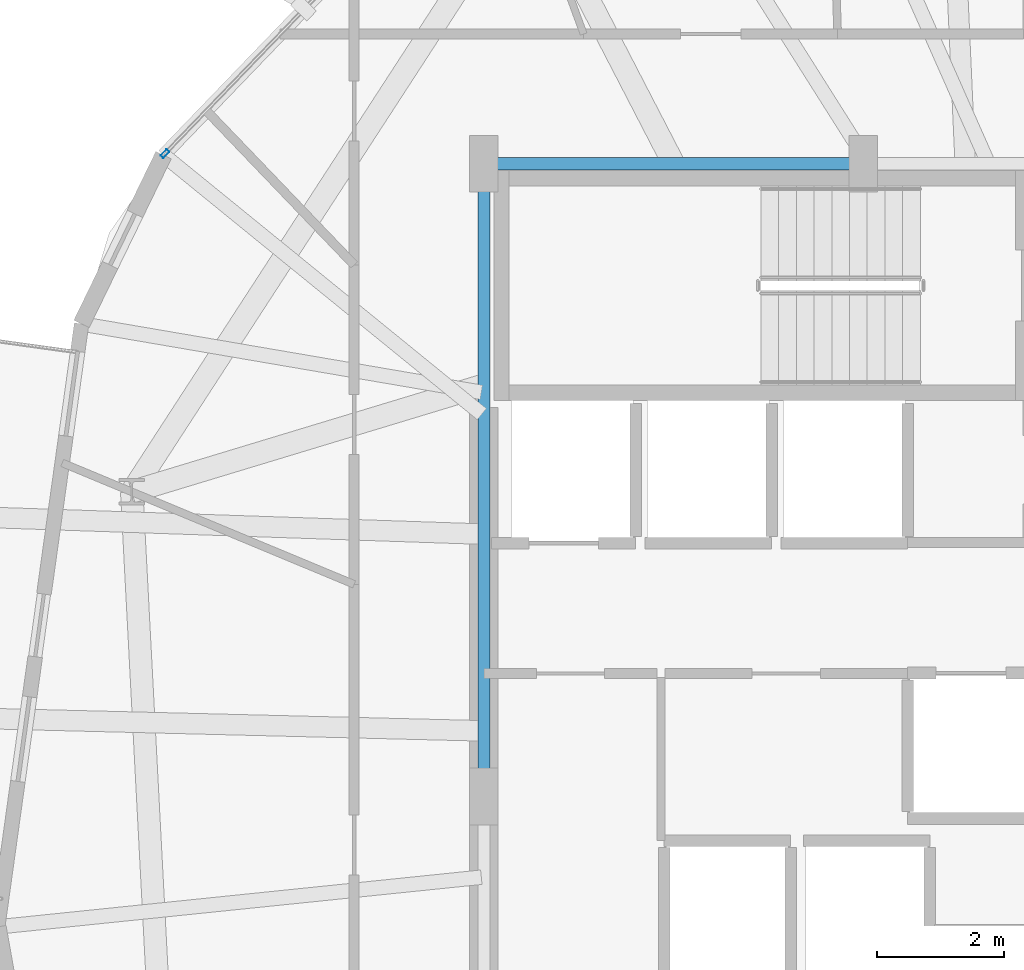
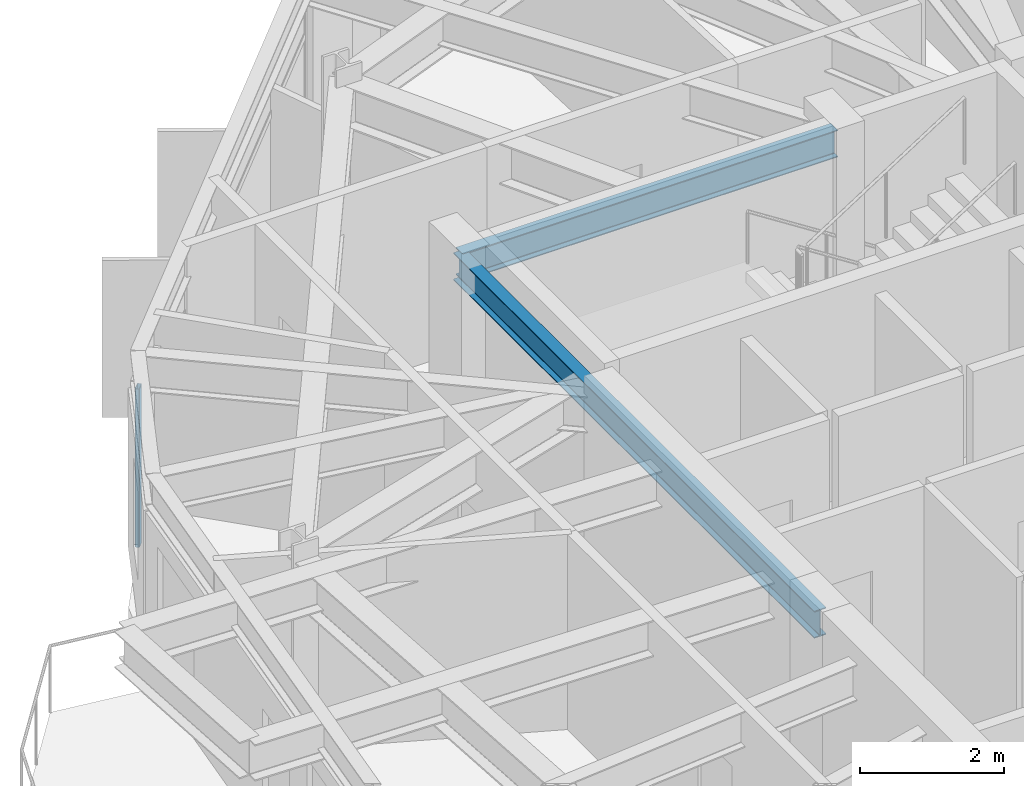
# One storey, part 9 of 28: 2 beams, 1 member, 1 element without a shape of its own.
"""IFC4 building model written with IfcOpenShell, lengths in metres."""

from ifc_helpers import new_model, si_unit, direction, frame, origin, origin_2d, place, context, subcontext, project, spatial, hollow_rectangle, i_section, extrude, material, layer, layer_set, material_profile, profile_set, type_object, element, aggregate, save


model = new_model("IFC4")

# Units and contexts
model_context = context("Model", 3, precision=1e-05, world=origin(), true_north=direction((0.0, 1.0)))
body_context = subcontext(model_context, "Body", "Model", "MODEL_VIEW")
ifc_project = project(units=[si_unit("LENGTHUNIT", "METRE"), si_unit("AREAUNIT", "SQUARE_METRE"), si_unit("VOLUMEUNIT", "CUBIC_METRE"), si_unit("PLANEANGLEUNIT", "RADIAN"), si_unit("MASSUNIT", "GRAM", prefix="KILO")], contexts=[model_context])

# Site, building, storey
site_placement = place(None, origin())
site = spatial("IfcSite", under=ifc_project, at=site_placement, CompositionType="ELEMENT")
building_placement = place(site_placement, origin())
building = spatial("IfcBuilding", under=site, at=building_placement, Name="Soratama Intermodal Tower", CompositionType="ELEMENT")
storey_placement = place(building_placement, frame((0.0, 0.0, 205.0)))
storey = spatial("IfcBuildingStorey", under=building, at=storey_placement, Name="L51", CompositionType="ELEMENT", Elevation=205.0)

# Beams
ifc_material_1 = material(Name="Structural steel ASTM A992 Grade 50", Category="steel")
ifc_material_profile_1 = material_profile(ifc_material_1, i_section(OverallWidth=0.19091796875, OverallDepth=0.4599609375, WebThickness=0.010009765625, FlangeThickness=0.01611328125, FilletRadius=0.010986328125, at=origin_2d()), Name="W18X55")
ifc_profile_set_1 = profile_set([ifc_material_profile_1], Name="Structural steel ASTM A992 Grade 50")
beam_type = type_object("IfcBeamType", Name="BM-FLR-W18X55", PredefinedType="BEAM", material=ifc_profile_set_1)
beam_1_placement = place(storey_placement, frame((38.60009765625, 35.0, 3.070068359375), z_axis=(-1.0, 0.0, 0.0), x_axis=(0.0, -1.0, 0.0)))
element("IfcBeam", 1, at=beam_1_placement, inside=storey, type_object=beam_type, Name="BM-L51-CRING-07", PredefinedType="BEAM", context=body_context, shape_type="SweptSolid", body=[
    extrude(i_section(OverallWidth=0.19091796875, OverallDepth=0.4599609375, WebThickness=0.010009765625, FlangeThickness=0.01611328125, FilletRadius=0.010986328125, at=origin_2d()), origin(), (0.0, 0.0, 1.0), 6.0),
])
beam_2_placement = place(storey_placement, frame((32.60009765625, 35.0, 3.070068359375), z_axis=(0.0, -1.0, 0.0), x_axis=(1.0, 0.0, 0.0)))
element("IfcBeam", 2, at=beam_2_placement, inside=storey, type_object=beam_type, Name="BM-L51-CRING-08", PredefinedType="BEAM", context=body_context, shape_type="SweptSolid", body=[
    extrude(i_section(OverallWidth=0.19091796875, OverallDepth=0.4599609375, WebThickness=0.010009765625, FlangeThickness=0.01611328125, FilletRadius=0.010986328125, at=origin_2d()), origin(), (0.0, 0.0, 1.0), 10.0),
])

# Curtain wall, member
ifc_material_2 = material(Name="Double-glazed aluminium curtain wall", Category="aluminium")
ifc_layer = layer(ifc_material_2, 0.159912109375)
ifc_layer_set = layer_set([ifc_layer], Name="Double-glazed aluminium curtain wall")
curtain_wall_type = type_object("IfcCurtainWallType", Name="CW-SYS-5", PredefinedType="NOTDEFINED", material=ifc_layer_set)
curtain_wall_placement = place(storey_placement, origin())
curtain_wall = element("IfcCurtainWall", 3, at=curtain_wall_placement, inside=storey, type_object=curtain_wall_type, Name="L51 Faceted Curtain Wall F03", PredefinedType="NOTDEFINED")
ifc_material_3 = material(Name="Anodised aluminium AA 6063-T6", Category="aluminium")
ifc_material_profile_2 = material_profile(ifc_material_3, hollow_rectangle(XDim=0.06494140625, YDim=0.139892578125, WallThickness=0.0048828125, InnerFilletRadius=0.0048828125, OuterFilletRadius=0.010009765625, at=origin_2d()), Name="CWM140X65X5")
ifc_profile_set_2 = profile_set([ifc_material_profile_2], Name="Anodised aluminium AA 6063-T6")
member_type = type_object("IfcMemberType", Name="MT-CWM-5", PredefinedType="MULLION", material=ifc_profile_set_2)
member_placement = place(storey_placement, frame((27.5576171875, 35.157958984375, 0.0), z_axis=(0.0, 0.0, 1.0), x_axis=(0.720307138227, -0.693655264969, 0.0)))
member = element("IfcMember", 4, at=member_placement, type_object=member_type, Name="CW-5 mullion 3", PredefinedType="MULLION", context=body_context, shape_type="SweptSolid", body=[
    extrude(hollow_rectangle(XDim=0.06494140625, YDim=0.139892578125, WallThickness=0.0048828125, InnerFilletRadius=0.0048828125, OuterFilletRadius=0.010009765625, at=origin_2d()), origin(), (0.0, 0.0, 1.0), 2.678955078125),
])
aggregate(curtain_wall, [member])

save(model, "model.ifc")
